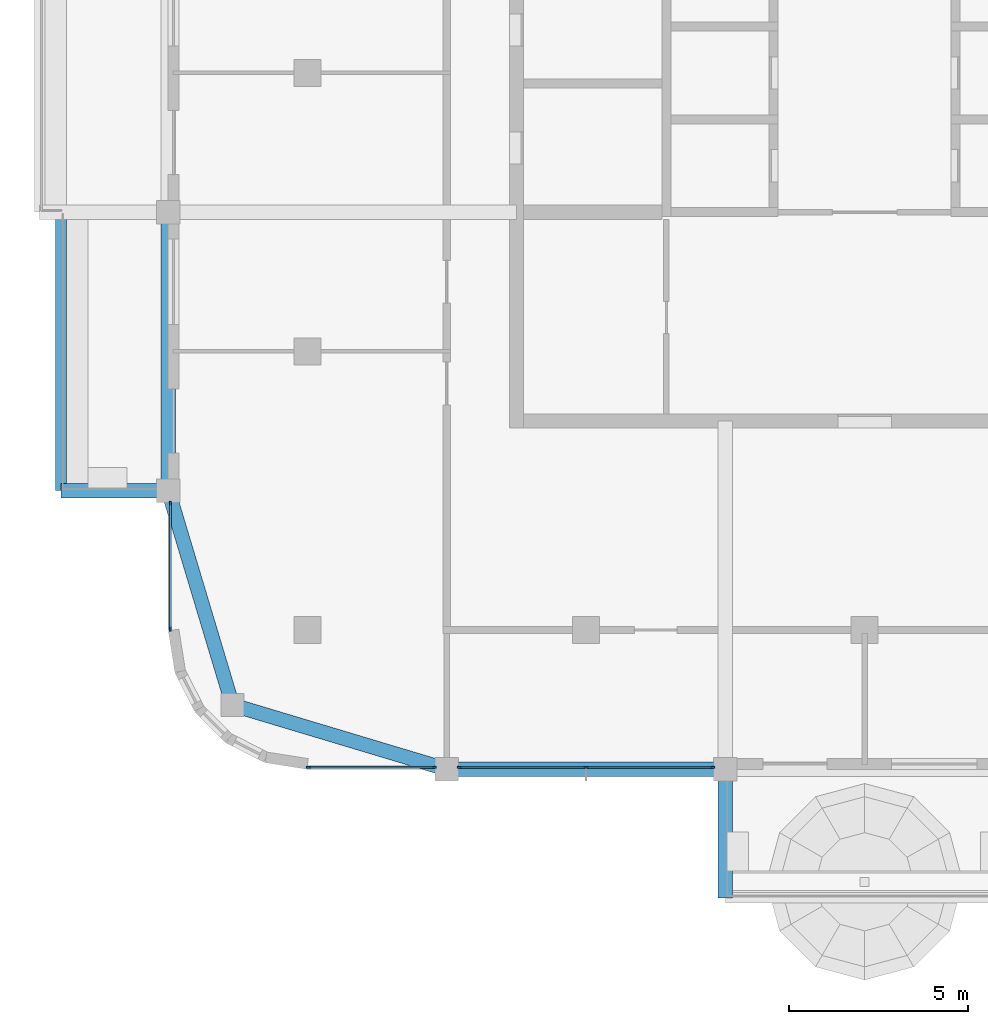
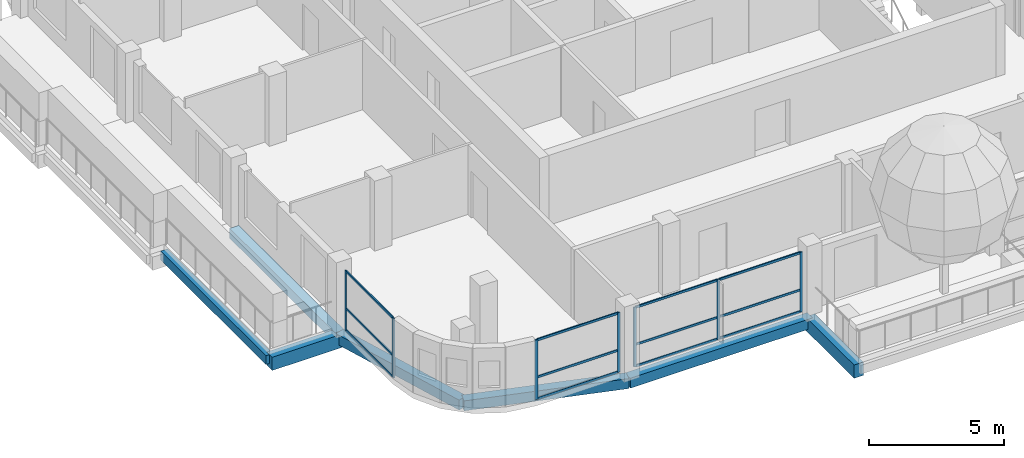
# One storey, part 2 of 19: 19 members, 7 beams, 3 elements without a shape of their own.
"""IFC4 building model written with IfcOpenShell, lengths in metres."""

from ifc_helpers import new_model, si_unit, direction, frame, origin, origin_2d, place, context, subcontext, project, spatial, rectangle, extrude, material, material_profile, profile_set, type_object, element, aggregate, save


model = new_model("IFC4")

# Units and contexts
model_context = context("Model", 3, precision=1e-05, world=origin(), true_north=direction((0.0, 1.0)))
body_context = subcontext(model_context, "Body", "Model", "MODEL_VIEW")
ifc_project = project(units=[si_unit("LENGTHUNIT", "METRE"), si_unit("AREAUNIT", "SQUARE_METRE"), si_unit("VOLUMEUNIT", "CUBIC_METRE"), si_unit("PLANEANGLEUNIT", "RADIAN"), si_unit("MASSUNIT", "GRAM", prefix="KILO")], contexts=[model_context])

# Site, building, storey
site_placement = place(None, origin())
site = spatial("IfcSite", under=ifc_project, at=site_placement, CompositionType="ELEMENT")
building_placement = place(site_placement, origin())
building = spatial("IfcBuilding", under=site, at=building_placement, Name="Ludao Terraces", CompositionType="ELEMENT")
storey_placement = place(building_placement, frame((0.0, 0.0, 256.199951171875)))
storey = spatial("IfcBuildingStorey", under=building, at=storey_placement, Name="L70", CompositionType="ELEMENT", Elevation=256.199951171875)

# Curtain wall, members
ifc_material_1 = material(Name="Aluminium curtain wall with fritted glass", Category="aluminium")
curtain_wall_type = type_object("IfcCurtainWallType", Name="ENV CW3 community glazing", PredefinedType="NOTDEFINED", material=ifc_material_1)
curtain_wall_1_placement = place(storey_placement, origin())
curtain_wall_1 = element("IfcCurtainWall", 1, at=curtain_wall_1_placement, inside=storey, type_object=curtain_wall_type, Name="Community floor glazing L70 S1", PredefinedType="NOTDEFINED")
ifc_material_2 = material(Name="Aluminium 6063-T6", Category="aluminium")
ifc_material_profile_1 = material_profile(ifc_material_2, rectangle(XDim=0.050048828125, YDim=0.1201171875, at=origin_2d()), Name="50 X 120")
ifc_profile_set_1 = profile_set([ifc_material_profile_1], Name="Aluminium 6063-T6")
member_type_1 = type_object("IfcMemberType", Name="ENV CW3 mullion 50x120", PredefinedType="MULLION", material=ifc_profile_set_1)
member_1_placement = place(storey_placement, frame((69.425048828125, 45.56005859375, 0.0), z_axis=(0.0, 0.0, 1.0), x_axis=(0.0, 1.0, 0.0)))
member_1 = element("IfcMember", 2, at=member_1_placement, type_object=member_type_1, Name="CW3 mullion 1", PredefinedType="MULLION", context=body_context, shape_type="SweptSolid", body=[
    extrude(rectangle(XDim=0.050048828125, YDim=0.1201171875, at=origin_2d()), origin(), (0.0, 0.0, 1.0), 2.699951171875),
])
member_2_placement = place(storey_placement, frame((72.949951171875, 45.56005859375, 0.0), z_axis=(0.0, 0.0, 1.0), x_axis=(0.0, 1.0, 0.0)))
member_2 = element("IfcMember", 3, at=member_2_placement, type_object=member_type_1, Name="CW3 mullion 2", PredefinedType="MULLION", context=body_context, shape_type="SweptSolid", body=[
    extrude(rectangle(XDim=0.050048828125, YDim=0.1201171875, at=origin_2d()), origin(), (0.0, 0.0, 1.0), 2.699951171875),
])

curtain_wall_2_placement = place(storey_placement, origin())
curtain_wall_2 = element("IfcCurtainWall", 4, at=curtain_wall_2_placement, inside=storey, type_object=curtain_wall_type, Name="Community floor glazing L70 S2", PredefinedType="NOTDEFINED")
member_3_placement = place(storey_placement, frame((73.64990234375, 45.56005859375, 0.0), z_axis=(0.0, 0.0, 1.0), x_axis=(0.0, 1.0, 0.0)))
member_3 = element("IfcMember", 5, at=member_3_placement, type_object=member_type_1, Name="CW3 mullion 1", PredefinedType="MULLION", context=body_context, shape_type="SweptSolid", body=[
    extrude(rectangle(XDim=0.050048828125, YDim=0.1201171875, at=origin_2d()), origin(), (0.0, 0.0, 1.0), 2.699951171875),
])
member_4_placement = place(storey_placement, frame((77.199951171875, 45.56005859375, 0.0), z_axis=(0.0, 0.0, 1.0), x_axis=(0.0, 1.0, 0.0)))
member_4 = element("IfcMember", 6, at=member_4_placement, type_object=member_type_1, Name="CW3 mullion 2", PredefinedType="MULLION", context=body_context, shape_type="SweptSolid", body=[
    extrude(rectangle(XDim=0.050048828125, YDim=0.1201171875, at=origin_2d()), origin(), (0.0, 0.0, 1.0), 2.699951171875),
])
member_5_placement = place(storey_placement, frame((80.75, 45.56005859375, 0.0), z_axis=(0.0, 0.0, 1.0), x_axis=(0.0, 1.0, 0.0)))
member_5 = element("IfcMember", 7, at=member_5_placement, type_object=member_type_1, Name="CW3 mullion 3", PredefinedType="MULLION", context=body_context, shape_type="SweptSolid", body=[
    extrude(rectangle(XDim=0.050048828125, YDim=0.1201171875, at=origin_2d()), origin(), (0.0, 0.0, 1.0), 2.699951171875),
])

curtain_wall_3_placement = place(storey_placement, origin())
curtain_wall_3 = element("IfcCurtainWall", 8, at=curtain_wall_3_placement, inside=storey, type_object=curtain_wall_type, Name="Community floor glazing L70 W1", PredefinedType="NOTDEFINED")
member_6_placement = place(storey_placement, frame((65.56005859375, 49.425048828125, 0.0), z_axis=(0.0, 0.0, 1.0), x_axis=(-1.0, 0.0, 0.0)))
member_6 = element("IfcMember", 9, at=member_6_placement, type_object=member_type_1, Name="CW3 mullion 1", PredefinedType="MULLION", context=body_context, shape_type="SweptSolid", body=[
    extrude(rectangle(XDim=0.050048828125, YDim=0.1201171875, at=origin_2d()), origin(), (0.0, 0.0, 1.0), 2.699951171875),
])
member_7_placement = place(storey_placement, frame((65.56005859375, 52.949951171875, 0.0), z_axis=(0.0, 0.0, 1.0), x_axis=(-1.0, 0.0, 0.0)))
member_7 = element("IfcMember", 10, at=member_7_placement, type_object=member_type_1, Name="CW3 mullion 2", PredefinedType="MULLION", context=body_context, shape_type="SweptSolid", body=[
    extrude(rectangle(XDim=0.050048828125, YDim=0.1201171875, at=origin_2d()), origin(), (0.0, 0.0, 1.0), 2.699951171875),
])

# Member
ifc_material_profile_2 = material_profile(ifc_material_2, rectangle(XDim=0.050048828125, YDim=0.10009765625, at=origin_2d()), Name="50 X 100")
ifc_profile_set_2 = profile_set([ifc_material_profile_2], Name="Aluminium 6063-T6")
member_type_2 = type_object("IfcMemberType", Name="ENV CW3 transom 50x100", PredefinedType="USERDEFINED", material=ifc_profile_set_2)
member_8_placement = place(storey_placement, frame((69.449951171875, 45.56005859375, 0.025146484375), z_axis=(1.0, 0.0, 0.0), x_axis=(0.0, 1.0, 0.0)))
member_8 = element("IfcMember", 11, at=member_8_placement, type_object=member_type_2, Name="CW3 transom 1.1", ObjectType="TRANSOM", PredefinedType="USERDEFINED", context=body_context, shape_type="SweptSolid", body=[
    extrude(rectangle(XDim=0.050048828125, YDim=0.10009765625, at=origin_2d()), origin(), (0.0, 0.0, 1.0), 3.47509765625),
])

member_9_placement = place(storey_placement, frame((69.449951171875, 45.56005859375, 1.0), z_axis=(1.0, 0.0, 0.0), x_axis=(0.0, 1.0, 0.0)))
member_9 = element("IfcMember", 12, at=member_9_placement, type_object=member_type_2, Name="CW3 transom 1.2", ObjectType="TRANSOM", PredefinedType="USERDEFINED", context=body_context, shape_type="SweptSolid", body=[
    extrude(rectangle(XDim=0.050048828125, YDim=0.10009765625, at=origin_2d()), origin(), (0.0, 0.0, 1.0), 3.47509765625),
])

member_10_placement = place(storey_placement, frame((69.449951171875, 45.56005859375, 2.675048828125), z_axis=(1.0, 0.0, 0.0), x_axis=(0.0, 1.0, 0.0)))
member_10 = element("IfcMember", 13, at=member_10_placement, type_object=member_type_2, Name="CW3 transom 1.3", ObjectType="TRANSOM", PredefinedType="USERDEFINED", context=body_context, shape_type="SweptSolid", body=[
    extrude(rectangle(XDim=0.050048828125, YDim=0.10009765625, at=origin_2d()), origin(), (0.0, 0.0, 1.0), 3.47509765625),
])

aggregate(curtain_wall_1, [member_1, member_2, member_8, member_9, member_10])

member_11_placement = place(storey_placement, frame((73.675048828125, 45.56005859375, 0.025146484375), z_axis=(1.0, 0.0, 0.0), x_axis=(0.0, 1.0, 0.0)))
member_11 = element("IfcMember", 14, at=member_11_placement, type_object=member_type_2, Name="CW3 transom 1.1", ObjectType="TRANSOM", PredefinedType="USERDEFINED", context=body_context, shape_type="SweptSolid", body=[
    extrude(rectangle(XDim=0.050048828125, YDim=0.10009765625, at=origin_2d()), origin(), (0.0, 0.0, 1.0), 3.5),
])

member_12_placement = place(storey_placement, frame((73.675048828125, 45.56005859375, 1.0), z_axis=(1.0, 0.0, 0.0), x_axis=(0.0, 1.0, 0.0)))
member_12 = element("IfcMember", 15, at=member_12_placement, type_object=member_type_2, Name="CW3 transom 1.2", ObjectType="TRANSOM", PredefinedType="USERDEFINED", context=body_context, shape_type="SweptSolid", body=[
    extrude(rectangle(XDim=0.050048828125, YDim=0.10009765625, at=origin_2d()), origin(), (0.0, 0.0, 1.0), 3.5),
])

member_13_placement = place(storey_placement, frame((73.675048828125, 45.56005859375, 2.675048828125), z_axis=(1.0, 0.0, 0.0), x_axis=(0.0, 1.0, 0.0)))
member_13 = element("IfcMember", 16, at=member_13_placement, type_object=member_type_2, Name="CW3 transom 1.3", ObjectType="TRANSOM", PredefinedType="USERDEFINED", context=body_context, shape_type="SweptSolid", body=[
    extrude(rectangle(XDim=0.050048828125, YDim=0.10009765625, at=origin_2d()), origin(), (0.0, 0.0, 1.0), 3.5),
])

member_14_placement = place(storey_placement, frame((77.22509765625, 45.56005859375, 0.025146484375), z_axis=(1.0, 0.0, 0.0), x_axis=(0.0, 1.0, 0.0)))
member_14 = element("IfcMember", 17, at=member_14_placement, type_object=member_type_2, Name="CW3 transom 2.1", ObjectType="TRANSOM", PredefinedType="USERDEFINED", context=body_context, shape_type="SweptSolid", body=[
    extrude(rectangle(XDim=0.050048828125, YDim=0.10009765625, at=origin_2d()), origin(), (0.0, 0.0, 1.0), 3.5),
])

member_15_placement = place(storey_placement, frame((77.22509765625, 45.56005859375, 1.0), z_axis=(1.0, 0.0, 0.0), x_axis=(0.0, 1.0, 0.0)))
member_15 = element("IfcMember", 18, at=member_15_placement, type_object=member_type_2, Name="CW3 transom 2.2", ObjectType="TRANSOM", PredefinedType="USERDEFINED", context=body_context, shape_type="SweptSolid", body=[
    extrude(rectangle(XDim=0.050048828125, YDim=0.10009765625, at=origin_2d()), origin(), (0.0, 0.0, 1.0), 3.5),
])

member_16_placement = place(storey_placement, frame((77.22509765625, 45.56005859375, 2.675048828125), z_axis=(1.0, 0.0, 0.0), x_axis=(0.0, 1.0, 0.0)))
member_16 = element("IfcMember", 19, at=member_16_placement, type_object=member_type_2, Name="CW3 transom 2.3", ObjectType="TRANSOM", PredefinedType="USERDEFINED", context=body_context, shape_type="SweptSolid", body=[
    extrude(rectangle(XDim=0.050048828125, YDim=0.10009765625, at=origin_2d()), origin(), (0.0, 0.0, 1.0), 3.5),
])

aggregate(curtain_wall_2, [member_3, member_4, member_5, member_11, member_12, member_13, member_14, member_15, member_16])

member_17_placement = place(storey_placement, frame((65.56005859375, 49.449951171875, 0.025146484375), z_axis=(0.0, 1.0, 0.0), x_axis=(-1.0, 0.0, 0.0)))
member_17 = element("IfcMember", 20, at=member_17_placement, type_object=member_type_2, Name="CW3 transom 1.1", ObjectType="TRANSOM", PredefinedType="USERDEFINED", context=body_context, shape_type="SweptSolid", body=[
    extrude(rectangle(XDim=0.050048828125, YDim=0.10009765625, at=origin_2d()), origin(), (0.0, 0.0, 1.0), 3.47509765625),
])

member_18_placement = place(storey_placement, frame((65.56005859375, 49.449951171875, 1.0), z_axis=(0.0, 1.0, 0.0), x_axis=(-1.0, 0.0, 0.0)))
member_18 = element("IfcMember", 21, at=member_18_placement, type_object=member_type_2, Name="CW3 transom 1.2", ObjectType="TRANSOM", PredefinedType="USERDEFINED", context=body_context, shape_type="SweptSolid", body=[
    extrude(rectangle(XDim=0.050048828125, YDim=0.10009765625, at=origin_2d()), origin(), (0.0, 0.0, 1.0), 3.47509765625),
])

member_19_placement = place(storey_placement, frame((65.56005859375, 49.449951171875, 2.675048828125), z_axis=(0.0, 1.0, 0.0), x_axis=(-1.0, 0.0, 0.0)))
member_19 = element("IfcMember", 22, at=member_19_placement, type_object=member_type_2, Name="CW3 transom 1.3", ObjectType="TRANSOM", PredefinedType="USERDEFINED", context=body_context, shape_type="SweptSolid", body=[
    extrude(rectangle(XDim=0.050048828125, YDim=0.10009765625, at=origin_2d()), origin(), (0.0, 0.0, 1.0), 3.47509765625),
])

aggregate(curtain_wall_3, [member_6, member_7, member_17, member_18, member_19])

# Beams
ifc_material_3 = material(Name="Concrete C40", Category="concrete")
ifc_material_profile_3 = material_profile(ifc_material_3, rectangle(XDim=0.300048828125, YDim=0.39990234375, at=origin_2d()), Name="300 X 400")
ifc_profile_set_3 = profile_set([ifc_material_profile_3], Name="Concrete C40")
beam_type_1 = type_object("IfcBeamType", Name="RC beam 300x400 C40", PredefinedType="BEAM", material=ifc_profile_set_3)
beam_1_placement = place(storey_placement, frame((62.5, 53.300048828125, -0.449951171875), z_axis=(0.0, 1.0, 0.0), x_axis=(-1.0, 0.0, 0.0)))
element("IfcBeam", 23, at=beam_1_placement, inside=storey, type_object=beam_type_1, Name="Balcony edge beam L70 W1", PredefinedType="BEAM", context=body_context, shape_type="SweptSolid", body=[
    extrude(rectangle(XDim=0.300048828125, YDim=0.39990234375, at=origin_2d()), origin(), (0.0, 0.0, 1.0), 7.800048828125),
])
ifc_material_profile_4 = material_profile(ifc_material_3, rectangle(XDim=0.39990234375, YDim=0.449951171875, at=origin_2d()), Name="400 X 450")
ifc_profile_set_4 = profile_set([ifc_material_profile_4], Name="Concrete C40")
beam_type_2 = type_object("IfcBeamType", Name="RC beam 400x450 C40", PredefinedType="BEAM", material=ifc_profile_set_4)
beam_2_placement = place(storey_placement, frame((67.300048828125, 47.300048828125, -0.474853515625), z_axis=(0.957824139839, -0.287355036744, 0.0), x_axis=(0.287355036744, 0.957824139839, 0.0)))
element("IfcBeam", 24, at=beam_2_placement, inside=storey, type_object=beam_type_2, Name="Spandrel beam L70 S1", PredefinedType="BEAM", context=body_context, shape_type="SweptSolid", body=[
    extrude(rectangle(XDim=0.39990234375, YDim=0.449951171875, at=origin_2d()), origin(), (0.0, 0.0, 1.0), 6.26416015625),
])
beam_3_placement = place(storey_placement, frame((73.300048828125, 45.5, -0.474853515625), z_axis=(1.0, 0.0, 0.0), x_axis=(0.0, 1.0, 0.0)))
element("IfcBeam", 25, at=beam_3_placement, inside=storey, type_object=beam_type_2, Name="Spandrel beam L70 S2", PredefinedType="BEAM", context=body_context, shape_type="SweptSolid", body=[
    extrude(rectangle(XDim=0.39990234375, YDim=0.449951171875, at=origin_2d()), origin(), (0.0, 0.0, 1.0), 7.800048828125),
])
beam_4_placement = place(storey_placement, frame((67.300048828125, 47.300048828125, -0.474853515625), z_axis=(-0.287355036744, 0.957824139839, 0.0), x_axis=(-0.957824139839, -0.287355036744, 0.0)))
element("IfcBeam", 26, at=beam_4_placement, inside=storey, type_object=beam_type_2, Name="Spandrel beam L70 W8", PredefinedType="BEAM", context=body_context, shape_type="SweptSolid", body=[
    extrude(rectangle(XDim=0.39990234375, YDim=0.449951171875, at=origin_2d()), origin(), (0.0, 0.0, 1.0), 6.26416015625),
])
beam_5_placement = place(storey_placement, frame((65.5, 53.300048828125, -0.474853515625), z_axis=(0.0, 1.0, 0.0), x_axis=(-1.0, 0.0, 0.0)))
element("IfcBeam", 27, at=beam_5_placement, inside=storey, type_object=beam_type_2, Name="Spandrel beam L70 W9", PredefinedType="BEAM", context=body_context, shape_type="SweptSolid", body=[
    extrude(rectangle(XDim=0.39990234375, YDim=0.449951171875, at=origin_2d()), origin(), (0.0, 0.0, 1.0), 7.800048828125),
])
ifc_material_profile_5 = material_profile(ifc_material_3, rectangle(XDim=0.39990234375, YDim=0.60009765625, at=origin_2d()), Name="400 X 600")
ifc_profile_set_5 = profile_set([ifc_material_profile_5], Name="Concrete C40")
beam_type_3 = type_object("IfcBeamType", Name="RC beam 400x600 C40", PredefinedType="BEAM", material=ifc_profile_set_5)
beam_6_placement = place(storey_placement, frame((81.10009765625, 45.5, -0.550048828125), z_axis=(0.0, -1.0, 0.0), x_axis=(1.0, 0.0, 0.0)))
element("IfcBeam", 28, at=beam_6_placement, inside=storey, type_object=beam_type_3, Name="Balcony beam L70 S811", PredefinedType="BEAM", context=body_context, shape_type="SweptSolid", body=[
    extrude(rectangle(XDim=0.39990234375, YDim=0.60009765625, at=origin_2d()), origin(), (0.0, 0.0, 1.0), 3.60009765625),
])
beam_7_placement = place(storey_placement, frame((65.5, 53.300048828125, -0.550048828125), z_axis=(-1.0, 0.0, 0.0), x_axis=(0.0, -1.0, 0.0)))
element("IfcBeam", 29, at=beam_7_placement, inside=storey, type_object=beam_type_3, Name="Balcony beam L70 W533", PredefinedType="BEAM", context=body_context, shape_type="SweptSolid", body=[
    extrude(rectangle(XDim=0.39990234375, YDim=0.60009765625, at=origin_2d()), origin(), (0.0, 0.0, 1.0), 3.0),
])

save(model, "model.ifc")
